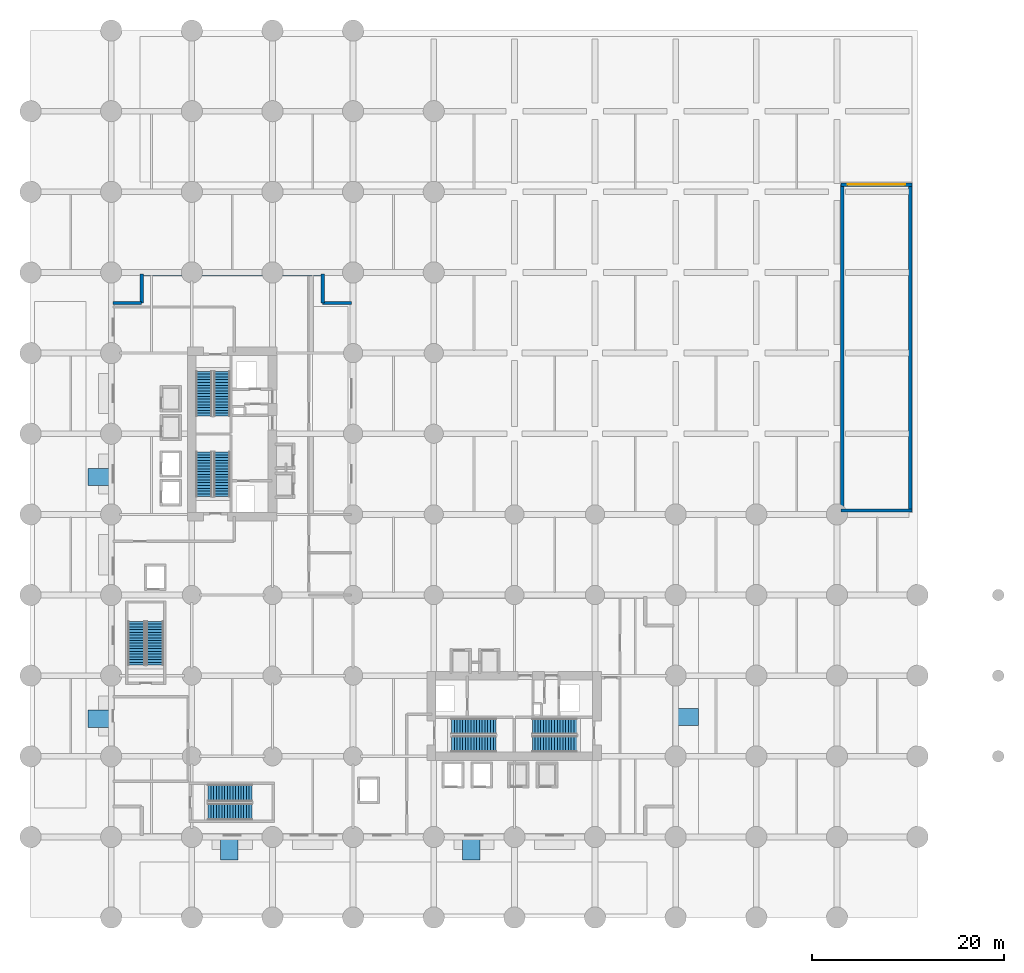
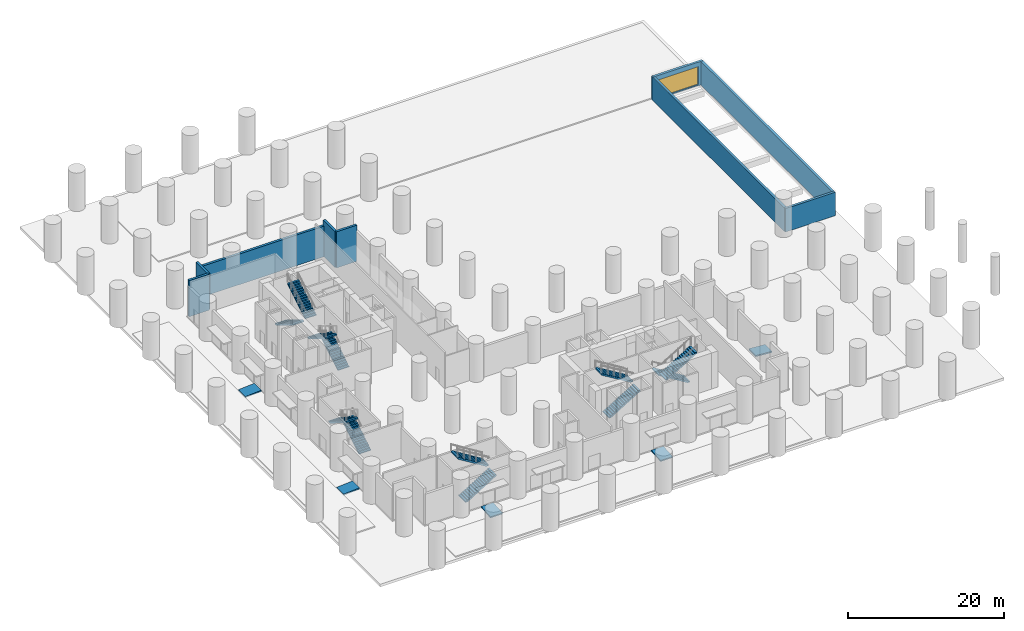
# One storey, part 9 of 13: 12 stair flights, 9 walls, 5 ramp flights, 1 door, 1 opening, 11 elements without a shape of their own.
"""IFC4 building model written with IfcOpenShell, lengths in metres."""

from ifc_helpers import new_model, si_unit, direction, frame, frame_2d, origin, place, context, subcontext, project, spatial, polyline, rectangle, outline, extrude, material, layer, layer_set, type_object, element, fill, aggregate, save


model = new_model("IFC4")

# Units and contexts
model_context = context("Model", 3, precision=1e-05, world=origin(), true_north=direction((0.0, 1.0)))
body_context = subcontext(model_context, "Body", "Model", "MODEL_VIEW")
ifc_project = project(units=[si_unit("LENGTHUNIT", "METRE"), si_unit("AREAUNIT", "SQUARE_METRE"), si_unit("VOLUMEUNIT", "CUBIC_METRE"), si_unit("PLANEANGLEUNIT", "RADIAN"), si_unit("MASSUNIT", "GRAM", prefix="KILO")], contexts=[model_context])

# Site, building, storey
site_placement = place(None, origin())
site = spatial("IfcSite", under=ifc_project, at=site_placement, CompositionType="ELEMENT")
building_placement = place(site_placement, origin())
building = spatial("IfcBuilding", under=site, at=building_placement, Name="Koriwani Terraces Tower", CompositionType="ELEMENT")
storey_placement = place(building_placement, origin())
storey = spatial("IfcBuildingStorey", under=building, at=storey_placement, Name="L00", CompositionType="ELEMENT", Elevation=0.0)

# Walls
ifc_material_1 = material(Name="Concrete C50/60", Category="concrete")
ifc_layer_1 = layer(ifc_material_1, 0.35009765625, Name="Concrete C50/60")
ifc_layer_set_1 = layer_set([ifc_layer_1], Name="Concrete C50/60")
wall_type = type_object("IfcWallType", Name="WALL_EXT_BRUTALIST_350", PredefinedType="STANDARD", material=ifc_layer_set_1)
for number, where, z_axis, x_axis, name in (
    (1, (8.574951171875, 64.02490234375, 0.0), (0.0, 0.0, 1.0), (1.0, 0.0, 0.0), "L00 Fair-Faced Brutalist Exterior Wall (N3)"),
    (2, (11.574951171875, 64.02490234375, 0.0), (0.0, 0.0, 1.0), (0.0, 1.0, 0.0), "L00 Fair-Faced Brutalist Exterior Wall (N4)"),
):
    element("IfcWall", number, at=place(storey_placement, frame(where, z_axis=z_axis, x_axis=x_axis)), inside=storey, type_object=wall_type, Name=name, PredefinedType="STANDARD", context=body_context, shape_type="SweptSolid", body=[
        extrude(rectangle(XDim=3.0, YDim=0.35009765625, at=frame_2d((1.5, 0.0))), origin(), (0.0, 0.0, 1.0), 5.64990234375),
    ])
wall_1_placement = place(storey_placement, frame((11.574951171875, 67.02490234375, 0.0), z_axis=(0.0, 0.0, 1.0), x_axis=(1.0, 0.0, 0.0)))
element("IfcWall", 3, at=wall_1_placement, inside=storey, type_object=wall_type, Name="L00 Fair-Faced Brutalist Exterior Wall (N_TIP)", PredefinedType="STANDARD", context=body_context, shape_type="SweptSolid", body=[
    extrude(rectangle(XDim=18.85009765625, YDim=0.35009765625, at=frame_2d((9.425048828125, 0.0))), origin(), (0.0, 0.0, 1.0), 4.800048828125),
])
for number, where, z_axis, x_axis, name in (
    (4, (30.425048828125, 67.02490234375, 0.0), (0.0, 0.0, 1.0), (0.0, -1.0, 0.0), "L00 Fair-Faced Brutalist Exterior Wall (N6)"),
    (5, (30.425048828125, 64.02490234375, 0.0), (0.0, 0.0, 1.0), (1.0, 0.0, 0.0), "L00 Fair-Faced Brutalist Exterior Wall (N7)"),
):
    element("IfcWall", number, at=place(storey_placement, frame(where, z_axis=z_axis, x_axis=x_axis)), inside=storey, type_object=wall_type, Name=name, PredefinedType="STANDARD", context=body_context, shape_type="SweptSolid", body=[
        extrude(rectangle(XDim=3.0, YDim=0.35009765625, at=frame_2d((1.5, 0.0))), origin(), (0.0, 0.0, 1.0), 5.64990234375),
    ])

# Wall, opening, door
wall_2_placement = place(storey_placement, frame((84.39990234375, 76.35009765625, -0.179931640625), z_axis=(0.0, 0.0, 1.0), x_axis=(1.0, 0.0, 0.0)))
wall_2 = element("IfcWall", 6, at=wall_2_placement, inside=storey, type_object=wall_type, Name="L00 Car Park Vehicle Ramp Portal Head Wall", PredefinedType="STANDARD", context=body_context, shape_type="SweptSolid", body=[
    extrude(rectangle(XDim=7.400146484375, YDim=0.35009765625, at=frame_2d((3.7001953125, 0.0))), origin(), (0.0, 0.0, 1.0), 3.679931640625),
])
opening_placement = place(wall_2_placement, frame((0.699951171875, 0.0, 0.179931640625)))
opening = element("IfcOpeningElement", 7, at=opening_placement, cuts=wall_2, Name="Opening VS-01", PredefinedType="OPENING", context=body_context, shape_type="SweptSolid", body=[
    extrude(rectangle(XDim=6.0, YDim=2.800048828125, at=frame_2d((3.0, 1.39990234375))), frame((0.0, 0.18505859375, 0.0), z_axis=(0.0, -1.0, 0.0), x_axis=(1.0, 0.0, 0.0)), (0.0, 0.0, 1.0), 0.3701171875),
])
ifc_material_2 = material(Name="Steel ASTM A572 Grade 50", Category="steel")
door_type = type_object("IfcDoorType", Name="DOOR_VEHICLE_SHUTTER_6000X2800", OperationType="NOTDEFINED", PredefinedType="GATE", material=ifc_material_2)
door_placement = place(opening_placement, origin())
door = element("IfcDoor", 8, at=door_placement, inside=storey, type_object=door_type, Name="Car Park Vehicle Roller Shutter Gate VS-01", OperationType="ROLLINGUP", OverallHeight=2.800048828125, OverallWidth=6.0, PredefinedType="GATE", context=body_context, shape_type="SweptSolid", body=[
    extrude(rectangle(XDim=6.0, YDim=2.800048828125, at=frame_2d((3.0, 1.39990234375))), frame((0.0, 0.02490234375, 0.0), z_axis=(0.0, -1.0, 0.0), x_axis=(1.0, 0.0, 0.0)), (0.0, 0.0, 1.0), 0.050048828125),
])
fill(opening, door)

# Walls
for number, where, z_axis, x_axis, name in (
    (9, (84.550048828125, 42.39990234375, -0.179931640625), (0.0, 0.0, 1.0), (0.0, 1.0, 0.0), "L00 Car Park Vehicle Ramp Enclosure Wall (W)"),
    (10, (91.64990234375, 42.39990234375, -0.179931640625), (0.0, 0.0, 1.0), (0.0, 1.0, 0.0), "L00 Car Park Vehicle Ramp Enclosure Wall (E)"),
):
    element("IfcWall", number, at=place(storey_placement, frame(where, z_axis=z_axis, x_axis=x_axis)), inside=storey, type_object=wall_type, Name=name, PredefinedType="STANDARD", context=body_context, shape_type="SweptSolid", body=[
        extrude(rectangle(XDim=33.9501953125, YDim=0.35009765625, at=frame_2d((16.97509765625, 0.0))), origin(), (0.0, 0.0, 1.0), 3.679931640625),
    ])
wall_3_placement = place(storey_placement, frame((84.39990234375, 42.39990234375, -0.179931640625), z_axis=(0.0, 0.0, 1.0), x_axis=(1.0, 0.0, 0.0)))
element("IfcWall", 11, at=wall_3_placement, inside=storey, type_object=wall_type, Name="L00 Car Park Vehicle Ramp Enclosure Wall (S)", PredefinedType="STANDARD", context=body_context, shape_type="SweptSolid", body=[
    extrude(rectangle(XDim=7.400146484375, YDim=0.35009765625, at=frame_2d((3.7001953125, 0.0))), origin(), (0.0, 0.0, 1.0), 3.679931640625),
])

# Stair, stair flights
ifc_material_3 = material(Name="Concrete C40/50", Category="concrete")
stair_type_1 = type_object("IfcStairType", Name="STAIR_PODIUM_DOGLEG_1750", PredefinedType="TWO_STRAIGHT_RUN_STAIR", material=ifc_material_3)
stair_1_placement = place(storey_placement, origin())
stair_1 = element("IfcStair", 12, at=stair_1_placement, inside=storey, type_object=stair_type_1, Name="L00 Podium West Exit Stair", PredefinedType="HALF_TURN_STAIR")
stair_flight_type_1 = type_object("IfcStairFlightType", Name="STAIR_FLIGHT_POD_1750", PredefinedType="STRAIGHT", material=ifc_material_3)
stair_flight_1_placement = place(storey_placement, frame((12.97509765625, 26.300048828125, 0.0), z_axis=(0.0, 0.0, 1.0), x_axis=(0.0, 1.0, 0.0)))
stair_flight_1 = element("IfcStairFlight", 13, at=stair_flight_1_placement, type_object=stair_flight_type_1, Name="ST-P1 flight 1", NumberOfRisers=17, NumberOfTreads=16, PredefinedType="STRAIGHT", RiserHeight=0.176470588, TreadLength=0.285, context=body_context, shape_type="SweptSolid", body=[
    extrude(outline(polyline([(0.0, 0.0), (0.0, 0.176513671875), (0.284912109375, 0.176513671875), (0.284912109375, 0.35302734375), (0.570068359375, 0.35302734375), (0.570068359375, 0.529296875), (0.85498046875, 0.529296875), (0.85498046875, 0.705810546875), (1.139892578125, 0.705810546875), (1.139892578125, 0.88232421875), (1.425048828125, 0.88232421875), (1.425048828125, 1.058837890625), (1.7099609375, 1.058837890625), (1.7099609375, 1.2353515625), (1.9951171875, 1.2353515625), (1.9951171875, 1.411865234375), (2.280029296875, 1.411865234375), (2.280029296875, 1.588134765625), (2.56494140625, 1.588134765625), (2.56494140625, 1.7646484375), (2.85009765625, 1.7646484375), (2.85009765625, 1.941162109375), (3.135009765625, 1.941162109375), (3.135009765625, 2.11767578125), (3.419921875, 2.11767578125), (3.419921875, 2.294189453125), (3.705078125, 2.294189453125), (3.705078125, 2.470703125), (3.989990234375, 2.470703125), (3.989990234375, 2.64697265625), (4.27490234375, 2.64697265625), (4.27490234375, 2.823486328125), (4.56005859375, 2.823486328125), (4.56005859375, 3.0), (4.56005859375, 2.58837890625), (0.3798828125, 0.0), (0.0, 0.0)])), frame((0.0, 0.875, 0.0), z_axis=(0.0, -1.0, 0.0), x_axis=(1.0, 0.0, 0.0)), (0.0, 0.0, 1.0), 1.75),
])
stair_flight_2_placement = place(storey_placement, frame((11.02490234375, 30.860107421875, 3.0), z_axis=(0.0, 0.0, 1.0), x_axis=(0.0, -1.0, 0.0)))
stair_flight_2 = element("IfcStairFlight", 14, at=stair_flight_2_placement, type_object=stair_flight_type_1, Name="ST-P1 flight 2", NumberOfRisers=17, NumberOfTreads=16, PredefinedType="STRAIGHT", RiserHeight=0.176470588, TreadLength=0.285, context=body_context, shape_type="SweptSolid", body=[
    extrude(outline(polyline([(0.0, 0.0), (0.0, 0.176513671875), (0.284912109375, 0.176513671875), (0.284912109375, 0.35302734375), (0.570068359375, 0.35302734375), (0.570068359375, 0.529296875), (0.85498046875, 0.529296875), (0.85498046875, 0.705810546875), (1.139892578125, 0.705810546875), (1.139892578125, 0.88232421875), (1.425048828125, 0.88232421875), (1.425048828125, 1.058837890625), (1.7099609375, 1.058837890625), (1.7099609375, 1.2353515625), (1.9951171875, 1.2353515625), (1.9951171875, 1.411865234375), (2.280029296875, 1.411865234375), (2.280029296875, 1.588134765625), (2.56494140625, 1.588134765625), (2.56494140625, 1.7646484375), (2.85009765625, 1.7646484375), (2.85009765625, 1.941162109375), (3.135009765625, 1.941162109375), (3.135009765625, 2.11767578125), (3.419921875, 2.11767578125), (3.419921875, 2.294189453125), (3.705078125, 2.294189453125), (3.705078125, 2.470703125), (3.989990234375, 2.470703125), (3.989990234375, 2.64697265625), (4.27490234375, 2.64697265625), (4.27490234375, 2.823486328125), (4.56005859375, 2.823486328125), (4.56005859375, 3.0), (4.56005859375, 2.58837890625), (0.3798828125, 0.0), (0.0, 0.0)])), frame((0.0, 0.875, 0.0), z_axis=(0.0, -1.0, 0.0), x_axis=(1.0, 0.0, 0.0)), (0.0, 0.0, 1.0), 1.75),
])
aggregate(stair_1, [stair_flight_1, stair_flight_2])

stair_2_placement = place(storey_placement, origin())
stair_2 = element("IfcStair", 15, at=stair_2_placement, inside=storey, type_object=stair_type_1, Name="L00 Podium South Exit Stair", PredefinedType="HALF_TURN_STAIR")
stair_flight_3_placement = place(storey_placement, frame((18.5, 11.02490234375, 0.0), z_axis=(0.0, 0.0, 1.0), x_axis=(1.0, 0.0, 0.0)))
stair_flight_3 = element("IfcStairFlight", 16, at=stair_flight_3_placement, type_object=stair_flight_type_1, Name="ST-P2 flight 1", NumberOfRisers=17, NumberOfTreads=16, PredefinedType="STRAIGHT", RiserHeight=0.176470588, TreadLength=0.285, context=body_context, shape_type="SweptSolid", body=[
    extrude(outline(polyline([(0.0, 0.0), (0.0, 0.176513671875), (0.284912109375, 0.176513671875), (0.284912109375, 0.35302734375), (0.570068359375, 0.35302734375), (0.570068359375, 0.529296875), (0.85498046875, 0.529296875), (0.85498046875, 0.705810546875), (1.139892578125, 0.705810546875), (1.139892578125, 0.88232421875), (1.425048828125, 0.88232421875), (1.425048828125, 1.058837890625), (1.7099609375, 1.058837890625), (1.7099609375, 1.2353515625), (1.9951171875, 1.2353515625), (1.9951171875, 1.411865234375), (2.280029296875, 1.411865234375), (2.280029296875, 1.588134765625), (2.56494140625, 1.588134765625), (2.56494140625, 1.7646484375), (2.85009765625, 1.7646484375), (2.85009765625, 1.941162109375), (3.135009765625, 1.941162109375), (3.135009765625, 2.11767578125), (3.419921875, 2.11767578125), (3.419921875, 2.294189453125), (3.705078125, 2.294189453125), (3.705078125, 2.470703125), (3.989990234375, 2.470703125), (3.989990234375, 2.64697265625), (4.27490234375, 2.64697265625), (4.27490234375, 2.823486328125), (4.56005859375, 2.823486328125), (4.56005859375, 3.0), (4.56005859375, 2.58837890625), (0.3798828125, 0.0), (0.0, 0.0)])), frame((0.0, 0.875, 0.0), z_axis=(0.0, -1.0, 0.0), x_axis=(1.0, 0.0, 0.0)), (0.0, 0.0, 1.0), 1.75),
])
stair_flight_4_placement = place(storey_placement, frame((23.06005859375, 12.97509765625, 3.0), z_axis=(0.0, 0.0, 1.0), x_axis=(-1.0, 0.0, 0.0)))
stair_flight_4 = element("IfcStairFlight", 17, at=stair_flight_4_placement, type_object=stair_flight_type_1, Name="ST-P2 flight 2", NumberOfRisers=17, NumberOfTreads=16, PredefinedType="STRAIGHT", RiserHeight=0.176470588, TreadLength=0.285, context=body_context, shape_type="SweptSolid", body=[
    extrude(outline(polyline([(0.0, 0.0), (0.0, 0.176513671875), (0.284912109375, 0.176513671875), (0.284912109375, 0.35302734375), (0.570068359375, 0.35302734375), (0.570068359375, 0.529296875), (0.85498046875, 0.529296875), (0.85498046875, 0.705810546875), (1.139892578125, 0.705810546875), (1.139892578125, 0.88232421875), (1.425048828125, 0.88232421875), (1.425048828125, 1.058837890625), (1.7099609375, 1.058837890625), (1.7099609375, 1.2353515625), (1.9951171875, 1.2353515625), (1.9951171875, 1.411865234375), (2.280029296875, 1.411865234375), (2.280029296875, 1.588134765625), (2.56494140625, 1.588134765625), (2.56494140625, 1.7646484375), (2.85009765625, 1.7646484375), (2.85009765625, 1.941162109375), (3.135009765625, 1.941162109375), (3.135009765625, 2.11767578125), (3.419921875, 2.11767578125), (3.419921875, 2.294189453125), (3.705078125, 2.294189453125), (3.705078125, 2.470703125), (3.989990234375, 2.470703125), (3.989990234375, 2.64697265625), (4.27490234375, 2.64697265625), (4.27490234375, 2.823486328125), (4.56005859375, 2.823486328125), (4.56005859375, 3.0), (4.56005859375, 2.58837890625), (0.3798828125, 0.0), (0.0, 0.0)])), frame((0.0, 0.875, 0.0), z_axis=(0.0, -1.0, 0.0), x_axis=(1.0, 0.0, 0.0)), (0.0, 0.0, 1.0), 1.75),
])
aggregate(stair_2, [stair_flight_3, stair_flight_4])

stair_type_2 = type_object("IfcStairType", Name="STAIR_CORE_DOGLEG_1650", PredefinedType="TWO_STRAIGHT_RUN_STAIR", material=ifc_material_3)
stair_3_placement = place(storey_placement, origin())
stair_3 = element("IfcStair", 18, at=stair_3_placement, inside=storey, type_object=stair_type_2, Name="L00 West Core Exit Stair 1", PredefinedType="HALF_TURN_STAIR")
stair_flight_type_2 = type_object("IfcStairFlightType", Name="STAIR_FLIGHT_RC_1650", PredefinedType="STRAIGHT", material=ifc_material_3)
stair_flight_5_placement = place(storey_placement, frame((19.925048828125, 43.85009765625, 0.0), z_axis=(0.0, 0.0, 1.0), x_axis=(0.0, 1.0, 0.0)))
stair_flight_5 = element("IfcStairFlight", 19, at=stair_flight_5_placement, type_object=stair_flight_type_2, Name="ST-W1 flight 1", NumberOfRisers=17, NumberOfTreads=16, PredefinedType="STRAIGHT", RiserHeight=0.176470588, TreadLength=0.29, context=body_context, shape_type="SweptSolid", body=[
    extrude(outline(polyline([(0.0, 0.0), (0.0, 0.176513671875), (0.2900390625, 0.176513671875), (0.2900390625, 0.35302734375), (0.580078125, 0.35302734375), (0.580078125, 0.529296875), (0.8701171875, 0.529296875), (0.8701171875, 0.705810546875), (1.159912109375, 0.705810546875), (1.159912109375, 0.88232421875), (1.449951171875, 0.88232421875), (1.449951171875, 1.058837890625), (1.739990234375, 1.058837890625), (1.739990234375, 1.2353515625), (2.030029296875, 1.2353515625), (2.030029296875, 1.411865234375), (2.320068359375, 1.411865234375), (2.320068359375, 1.588134765625), (2.610107421875, 1.588134765625), (2.610107421875, 1.7646484375), (2.89990234375, 1.7646484375), (2.89990234375, 1.941162109375), (3.18994140625, 1.941162109375), (3.18994140625, 2.11767578125), (3.47998046875, 2.11767578125), (3.47998046875, 2.294189453125), (3.77001953125, 2.294189453125), (3.77001953125, 2.470703125), (4.06005859375, 2.470703125), (4.06005859375, 2.64697265625), (4.35009765625, 2.64697265625), (4.35009765625, 2.823486328125), (4.639892578125, 2.823486328125), (4.639892578125, 3.0), (4.639892578125, 2.61279296875), (0.34619140625, 0.0), (0.0, 0.0)])), frame((0.0, 0.824951171875, 0.0), z_axis=(0.0, -1.0, 0.0), x_axis=(1.0, 0.0, 0.0)), (0.0, 0.0, 1.0), 1.64990234375),
])
stair_flight_6_placement = place(storey_placement, frame((18.074951171875, 48.489990234375, 3.0), z_axis=(0.0, 0.0, 1.0), x_axis=(0.0, -1.0, 0.0)))
stair_flight_6 = element("IfcStairFlight", 20, at=stair_flight_6_placement, type_object=stair_flight_type_2, Name="ST-W1 flight 2", NumberOfRisers=17, NumberOfTreads=16, PredefinedType="STRAIGHT", RiserHeight=0.176470588, TreadLength=0.29, context=body_context, shape_type="SweptSolid", body=[
    extrude(outline(polyline([(0.0, 0.0), (0.0, 0.176513671875), (0.2900390625, 0.176513671875), (0.2900390625, 0.35302734375), (0.580078125, 0.35302734375), (0.580078125, 0.529296875), (0.8701171875, 0.529296875), (0.8701171875, 0.705810546875), (1.159912109375, 0.705810546875), (1.159912109375, 0.88232421875), (1.449951171875, 0.88232421875), (1.449951171875, 1.058837890625), (1.739990234375, 1.058837890625), (1.739990234375, 1.2353515625), (2.030029296875, 1.2353515625), (2.030029296875, 1.411865234375), (2.320068359375, 1.411865234375), (2.320068359375, 1.588134765625), (2.610107421875, 1.588134765625), (2.610107421875, 1.7646484375), (2.89990234375, 1.7646484375), (2.89990234375, 1.941162109375), (3.18994140625, 1.941162109375), (3.18994140625, 2.11767578125), (3.47998046875, 2.11767578125), (3.47998046875, 2.294189453125), (3.77001953125, 2.294189453125), (3.77001953125, 2.470703125), (4.06005859375, 2.470703125), (4.06005859375, 2.64697265625), (4.35009765625, 2.64697265625), (4.35009765625, 2.823486328125), (4.639892578125, 2.823486328125), (4.639892578125, 3.0), (4.639892578125, 2.61279296875), (0.34619140625, 0.0), (0.0, 0.0)])), frame((0.0, 0.824951171875, 0.0), z_axis=(0.0, -1.0, 0.0), x_axis=(1.0, 0.0, 0.0)), (0.0, 0.0, 1.0), 1.64990234375),
])
aggregate(stair_3, [stair_flight_5, stair_flight_6])

stair_4_placement = place(storey_placement, origin())
stair_4 = element("IfcStair", 21, at=stair_4_placement, inside=storey, type_object=stair_type_2, Name="L00 West Core Exit Stair 2", PredefinedType="HALF_TURN_STAIR")
stair_flight_7_placement = place(storey_placement, frame((18.074951171875, 56.89990234375, 0.0), z_axis=(0.0, 0.0, 1.0), x_axis=(0.0, -1.0, 0.0)))
stair_flight_7 = element("IfcStairFlight", 22, at=stair_flight_7_placement, type_object=stair_flight_type_2, Name="ST-W2 flight 1", NumberOfRisers=17, NumberOfTreads=16, PredefinedType="STRAIGHT", RiserHeight=0.176470588, TreadLength=0.29, context=body_context, shape_type="SweptSolid", body=[
    extrude(outline(polyline([(0.0, 0.0), (0.0, 0.176513671875), (0.2900390625, 0.176513671875), (0.2900390625, 0.35302734375), (0.580078125, 0.35302734375), (0.580078125, 0.529296875), (0.8701171875, 0.529296875), (0.8701171875, 0.705810546875), (1.159912109375, 0.705810546875), (1.159912109375, 0.88232421875), (1.449951171875, 0.88232421875), (1.449951171875, 1.058837890625), (1.739990234375, 1.058837890625), (1.739990234375, 1.2353515625), (2.030029296875, 1.2353515625), (2.030029296875, 1.411865234375), (2.320068359375, 1.411865234375), (2.320068359375, 1.588134765625), (2.610107421875, 1.588134765625), (2.610107421875, 1.7646484375), (2.89990234375, 1.7646484375), (2.89990234375, 1.941162109375), (3.18994140625, 1.941162109375), (3.18994140625, 2.11767578125), (3.47998046875, 2.11767578125), (3.47998046875, 2.294189453125), (3.77001953125, 2.294189453125), (3.77001953125, 2.470703125), (4.06005859375, 2.470703125), (4.06005859375, 2.64697265625), (4.35009765625, 2.64697265625), (4.35009765625, 2.823486328125), (4.639892578125, 2.823486328125), (4.639892578125, 3.0), (4.639892578125, 2.61279296875), (0.34619140625, 0.0), (0.0, 0.0)])), frame((0.0, 0.824951171875, 0.0), z_axis=(0.0, -1.0, 0.0), x_axis=(1.0, 0.0, 0.0)), (0.0, 0.0, 1.0), 1.64990234375),
])
stair_flight_8_placement = place(storey_placement, frame((19.925048828125, 52.260009765625, 3.0), z_axis=(0.0, 0.0, 1.0), x_axis=(0.0, 1.0, 0.0)))
stair_flight_8 = element("IfcStairFlight", 23, at=stair_flight_8_placement, type_object=stair_flight_type_2, Name="ST-W2 flight 2", NumberOfRisers=17, NumberOfTreads=16, PredefinedType="STRAIGHT", RiserHeight=0.176470588, TreadLength=0.29, context=body_context, shape_type="SweptSolid", body=[
    extrude(outline(polyline([(0.0, 0.0), (0.0, 0.176513671875), (0.2900390625, 0.176513671875), (0.2900390625, 0.35302734375), (0.580078125, 0.35302734375), (0.580078125, 0.529296875), (0.8701171875, 0.529296875), (0.8701171875, 0.705810546875), (1.159912109375, 0.705810546875), (1.159912109375, 0.88232421875), (1.449951171875, 0.88232421875), (1.449951171875, 1.058837890625), (1.739990234375, 1.058837890625), (1.739990234375, 1.2353515625), (2.030029296875, 1.2353515625), (2.030029296875, 1.411865234375), (2.320068359375, 1.411865234375), (2.320068359375, 1.588134765625), (2.610107421875, 1.588134765625), (2.610107421875, 1.7646484375), (2.89990234375, 1.7646484375), (2.89990234375, 1.941162109375), (3.18994140625, 1.941162109375), (3.18994140625, 2.11767578125), (3.47998046875, 2.11767578125), (3.47998046875, 2.294189453125), (3.77001953125, 2.294189453125), (3.77001953125, 2.470703125), (4.06005859375, 2.470703125), (4.06005859375, 2.64697265625), (4.35009765625, 2.64697265625), (4.35009765625, 2.823486328125), (4.639892578125, 2.823486328125), (4.639892578125, 3.0), (4.639892578125, 2.61279296875), (0.34619140625, 0.0), (0.0, 0.0)])), frame((0.0, 0.824951171875, 0.0), z_axis=(0.0, -1.0, 0.0), x_axis=(1.0, 0.0, 0.0)), (0.0, 0.0, 1.0), 1.64990234375),
])
aggregate(stair_4, [stair_flight_7, stair_flight_8])

stair_5_placement = place(storey_placement, origin())
stair_5 = element("IfcStair", 24, at=stair_5_placement, inside=storey, type_object=stair_type_2, Name="L00 East Core Exit Stair 1", PredefinedType="HALF_TURN_STAIR")
stair_flight_9_placement = place(storey_placement, frame((43.85009765625, 18.074951171875, 0.0), z_axis=(0.0, 0.0, 1.0), x_axis=(1.0, 0.0, 0.0)))
stair_flight_9 = element("IfcStairFlight", 25, at=stair_flight_9_placement, type_object=stair_flight_type_2, Name="ST-E1 flight 1", NumberOfRisers=17, NumberOfTreads=16, PredefinedType="STRAIGHT", RiserHeight=0.176470588, TreadLength=0.29, context=body_context, shape_type="SweptSolid", body=[
    extrude(outline(polyline([(0.0, 0.0), (0.0, 0.176513671875), (0.2900390625, 0.176513671875), (0.2900390625, 0.35302734375), (0.580078125, 0.35302734375), (0.580078125, 0.529296875), (0.8701171875, 0.529296875), (0.8701171875, 0.705810546875), (1.159912109375, 0.705810546875), (1.159912109375, 0.88232421875), (1.449951171875, 0.88232421875), (1.449951171875, 1.058837890625), (1.739990234375, 1.058837890625), (1.739990234375, 1.2353515625), (2.030029296875, 1.2353515625), (2.030029296875, 1.411865234375), (2.320068359375, 1.411865234375), (2.320068359375, 1.588134765625), (2.610107421875, 1.588134765625), (2.610107421875, 1.7646484375), (2.89990234375, 1.7646484375), (2.89990234375, 1.941162109375), (3.18994140625, 1.941162109375), (3.18994140625, 2.11767578125), (3.47998046875, 2.11767578125), (3.47998046875, 2.294189453125), (3.77001953125, 2.294189453125), (3.77001953125, 2.470703125), (4.06005859375, 2.470703125), (4.06005859375, 2.64697265625), (4.35009765625, 2.64697265625), (4.35009765625, 2.823486328125), (4.639892578125, 2.823486328125), (4.639892578125, 3.0), (4.639892578125, 2.61279296875), (0.34619140625, 0.0), (0.0, 0.0)])), frame((0.0, 0.824951171875, 0.0), z_axis=(0.0, -1.0, 0.0), x_axis=(1.0, 0.0, 0.0)), (0.0, 0.0, 1.0), 1.64990234375),
])
stair_flight_10_placement = place(storey_placement, frame((48.489990234375, 19.925048828125, 3.0), z_axis=(0.0, 0.0, 1.0), x_axis=(-1.0, 0.0, 0.0)))
stair_flight_10 = element("IfcStairFlight", 26, at=stair_flight_10_placement, type_object=stair_flight_type_2, Name="ST-E1 flight 2", NumberOfRisers=17, NumberOfTreads=16, PredefinedType="STRAIGHT", RiserHeight=0.176470588, TreadLength=0.29, context=body_context, shape_type="SweptSolid", body=[
    extrude(outline(polyline([(0.0, 0.0), (0.0, 0.176513671875), (0.2900390625, 0.176513671875), (0.2900390625, 0.35302734375), (0.580078125, 0.35302734375), (0.580078125, 0.529296875), (0.8701171875, 0.529296875), (0.8701171875, 0.705810546875), (1.159912109375, 0.705810546875), (1.159912109375, 0.88232421875), (1.449951171875, 0.88232421875), (1.449951171875, 1.058837890625), (1.739990234375, 1.058837890625), (1.739990234375, 1.2353515625), (2.030029296875, 1.2353515625), (2.030029296875, 1.411865234375), (2.320068359375, 1.411865234375), (2.320068359375, 1.588134765625), (2.610107421875, 1.588134765625), (2.610107421875, 1.7646484375), (2.89990234375, 1.7646484375), (2.89990234375, 1.941162109375), (3.18994140625, 1.941162109375), (3.18994140625, 2.11767578125), (3.47998046875, 2.11767578125), (3.47998046875, 2.294189453125), (3.77001953125, 2.294189453125), (3.77001953125, 2.470703125), (4.06005859375, 2.470703125), (4.06005859375, 2.64697265625), (4.35009765625, 2.64697265625), (4.35009765625, 2.823486328125), (4.639892578125, 2.823486328125), (4.639892578125, 3.0), (4.639892578125, 2.61279296875), (0.34619140625, 0.0), (0.0, 0.0)])), frame((0.0, 0.824951171875, 0.0), z_axis=(0.0, -1.0, 0.0), x_axis=(1.0, 0.0, 0.0)), (0.0, 0.0, 1.0), 1.64990234375),
])
aggregate(stair_5, [stair_flight_9, stair_flight_10])

stair_6_placement = place(storey_placement, origin())
stair_6 = element("IfcStair", 27, at=stair_6_placement, inside=storey, type_object=stair_type_2, Name="L00 East Core Exit Stair 2", PredefinedType="HALF_TURN_STAIR")
stair_flight_11_placement = place(storey_placement, frame((56.89990234375, 19.925048828125, 0.0), z_axis=(0.0, 0.0, 1.0), x_axis=(-1.0, 0.0, 0.0)))
stair_flight_11 = element("IfcStairFlight", 28, at=stair_flight_11_placement, type_object=stair_flight_type_2, Name="ST-E2 flight 1", NumberOfRisers=17, NumberOfTreads=16, PredefinedType="STRAIGHT", RiserHeight=0.176470588, TreadLength=0.29, context=body_context, shape_type="SweptSolid", body=[
    extrude(outline(polyline([(0.0, 0.0), (0.0, 0.176513671875), (0.2900390625, 0.176513671875), (0.2900390625, 0.35302734375), (0.580078125, 0.35302734375), (0.580078125, 0.529296875), (0.8701171875, 0.529296875), (0.8701171875, 0.705810546875), (1.159912109375, 0.705810546875), (1.159912109375, 0.88232421875), (1.449951171875, 0.88232421875), (1.449951171875, 1.058837890625), (1.739990234375, 1.058837890625), (1.739990234375, 1.2353515625), (2.030029296875, 1.2353515625), (2.030029296875, 1.411865234375), (2.320068359375, 1.411865234375), (2.320068359375, 1.588134765625), (2.610107421875, 1.588134765625), (2.610107421875, 1.7646484375), (2.89990234375, 1.7646484375), (2.89990234375, 1.941162109375), (3.18994140625, 1.941162109375), (3.18994140625, 2.11767578125), (3.47998046875, 2.11767578125), (3.47998046875, 2.294189453125), (3.77001953125, 2.294189453125), (3.77001953125, 2.470703125), (4.06005859375, 2.470703125), (4.06005859375, 2.64697265625), (4.35009765625, 2.64697265625), (4.35009765625, 2.823486328125), (4.639892578125, 2.823486328125), (4.639892578125, 3.0), (4.639892578125, 2.61279296875), (0.34619140625, 0.0), (0.0, 0.0)])), frame((0.0, 0.824951171875, 0.0), z_axis=(0.0, -1.0, 0.0), x_axis=(1.0, 0.0, 0.0)), (0.0, 0.0, 1.0), 1.64990234375),
])
stair_flight_12_placement = place(storey_placement, frame((52.260009765625, 18.074951171875, 3.0), z_axis=(0.0, 0.0, 1.0), x_axis=(1.0, 0.0, 0.0)))
stair_flight_12 = element("IfcStairFlight", 29, at=stair_flight_12_placement, type_object=stair_flight_type_2, Name="ST-E2 flight 2", NumberOfRisers=17, NumberOfTreads=16, PredefinedType="STRAIGHT", RiserHeight=0.176470588, TreadLength=0.29, context=body_context, shape_type="SweptSolid", body=[
    extrude(outline(polyline([(0.0, 0.0), (0.0, 0.176513671875), (0.2900390625, 0.176513671875), (0.2900390625, 0.35302734375), (0.580078125, 0.35302734375), (0.580078125, 0.529296875), (0.8701171875, 0.529296875), (0.8701171875, 0.705810546875), (1.159912109375, 0.705810546875), (1.159912109375, 0.88232421875), (1.449951171875, 0.88232421875), (1.449951171875, 1.058837890625), (1.739990234375, 1.058837890625), (1.739990234375, 1.2353515625), (2.030029296875, 1.2353515625), (2.030029296875, 1.411865234375), (2.320068359375, 1.411865234375), (2.320068359375, 1.588134765625), (2.610107421875, 1.588134765625), (2.610107421875, 1.7646484375), (2.89990234375, 1.7646484375), (2.89990234375, 1.941162109375), (3.18994140625, 1.941162109375), (3.18994140625, 2.11767578125), (3.47998046875, 2.11767578125), (3.47998046875, 2.294189453125), (3.77001953125, 2.294189453125), (3.77001953125, 2.470703125), (4.06005859375, 2.470703125), (4.06005859375, 2.64697265625), (4.35009765625, 2.64697265625), (4.35009765625, 2.823486328125), (4.639892578125, 2.823486328125), (4.639892578125, 3.0), (4.639892578125, 2.61279296875), (0.34619140625, 0.0), (0.0, 0.0)])), frame((0.0, 0.824951171875, 0.0), z_axis=(0.0, -1.0, 0.0), x_axis=(1.0, 0.0, 0.0)), (0.0, 0.0, 1.0), 1.64990234375),
])
aggregate(stair_6, [stair_flight_11, stair_flight_12])

# Ramp, ramp flight
ramp_type = type_object("IfcRampType", Name="PEDESTRIAN_RAMP_1800", PredefinedType="STRAIGHT_RUN_RAMP", material=ifc_material_3)
ramp_1_placement = place(storey_placement, origin())
ramp_1 = element("IfcRamp", 30, at=ramp_1_placement, inside=storey, type_object=ramp_type, Name="Accessible Plaza Pedestrian Ramp PR-01", PredefinedType="STRAIGHT_RUN_RAMP")
ifc_layer_2 = layer(ifc_material_3, 0.199951171875, Name="Concrete C40/50")
ifc_layer_set_2 = layer_set([ifc_layer_2], Name="Concrete C40/50")
ramp_flight_type = type_object("IfcRampFlightType", Name="PEDESTRIAN_RAMP_FLIGHT_1800", PredefinedType="STRAIGHT", material=ifc_layer_set_2)
ramp_flight_1_placement = place(storey_placement, frame((6.0, 19.800048828125, -0.179931640625), z_axis=(-0.074764728906, 0.0, 0.997201201018), x_axis=(0.997201201018, 0.0, 0.074764728906)))
ramp_flight_1 = element("IfcRampFlight", 31, at=ramp_flight_1_placement, type_object=ramp_flight_type, Name="Accessible Pedestrian Ramp Flight PR-01", PredefinedType="STRAIGHT", context=body_context, shape_type="SweptSolid", body=[
    extrude(outline(polyline([(0.0, 0.0), (2.4066380398461975, 0.0), (2.4066380398461975, 1.800048828125), (0.0, 1.800048828125), (0.0, 0.0)])), origin(), (0.0, 0.0, -1.0), 0.199951171875),
])
aggregate(ramp_1, [ramp_flight_1])

ramp_2_placement = place(storey_placement, origin())
ramp_2 = element("IfcRamp", 32, at=ramp_2_placement, inside=storey, type_object=ramp_type, Name="Accessible Plaza Pedestrian Ramp PR-02", PredefinedType="STRAIGHT_RUN_RAMP")
ramp_flight_2_placement = place(storey_placement, frame((6.0, 45.0, -0.179931640625), z_axis=(-0.074764728906, 0.0, 0.997201201018), x_axis=(0.997201201018, 0.0, 0.074764728906)))
ramp_flight_2 = element("IfcRampFlight", 33, at=ramp_flight_2_placement, type_object=ramp_flight_type, Name="Accessible Pedestrian Ramp Flight PR-02", PredefinedType="STRAIGHT", context=body_context, shape_type="SweptSolid", body=[
    extrude(outline(polyline([(0.0, 0.0), (2.4066380398461975, 0.0), (2.4066380398461975, 1.800048828125), (0.0, 1.800048828125), (0.0, 0.0)])), origin(), (0.0, 0.0, -1.0), 0.199951171875),
])
aggregate(ramp_2, [ramp_flight_2])

ramp_3_placement = place(storey_placement, origin())
ramp_3 = element("IfcRamp", 34, at=ramp_3_placement, inside=storey, type_object=ramp_type, Name="Accessible Plaza Pedestrian Ramp PR-03", PredefinedType="STRAIGHT_RUN_RAMP")
ramp_flight_3_placement = place(storey_placement, frame((19.800048828125, 6.0, -0.179931640625), z_axis=(0.0, -0.074764728906, 0.997201201018), x_axis=(1.0, 0.0, 0.0)))
ramp_flight_3 = element("IfcRampFlight", 35, at=ramp_flight_3_placement, type_object=ramp_flight_type, Name="Accessible Pedestrian Ramp Flight PR-03", PredefinedType="STRAIGHT", context=body_context, shape_type="SweptSolid", body=[
    extrude(outline(polyline([(0.0, 0.0), (1.800048828125, 0.0), (1.800048828125, 2.4066380398461975), (0.0, 2.4066380398461975), (0.0, 0.0)])), origin(), (0.0, 0.0, -1.0), 0.199951171875),
])
aggregate(ramp_3, [ramp_flight_3])

ramp_4_placement = place(storey_placement, origin())
ramp_4 = element("IfcRamp", 36, at=ramp_4_placement, inside=storey, type_object=ramp_type, Name="Accessible Plaza Pedestrian Ramp PR-04", PredefinedType="STRAIGHT_RUN_RAMP")
ramp_flight_4_placement = place(storey_placement, frame((45.0, 6.0, -0.179931640625), z_axis=(0.0, -0.074764728906, 0.997201201018), x_axis=(1.0, 0.0, 0.0)))
ramp_flight_4 = element("IfcRampFlight", 37, at=ramp_flight_4_placement, type_object=ramp_flight_type, Name="Accessible Pedestrian Ramp Flight PR-04", PredefinedType="STRAIGHT", context=body_context, shape_type="SweptSolid", body=[
    extrude(outline(polyline([(0.0, 0.0), (1.800048828125, 0.0), (1.800048828125, 2.4066380398461975), (0.0, 2.4066380398461975), (0.0, 0.0)])), origin(), (0.0, 0.0, -1.0), 0.199951171875),
])
aggregate(ramp_4, [ramp_flight_4])

ramp_5_placement = place(storey_placement, origin())
ramp_5 = element("IfcRamp", 38, at=ramp_5_placement, inside=storey, type_object=ramp_type, Name="Accessible Plaza Pedestrian Ramp PR-05", PredefinedType="STRAIGHT_RUN_RAMP")
ramp_flight_5_placement = place(storey_placement, frame((67.199951171875, 20.0, 0.0), z_axis=(0.074757166413, 0.0, 0.997201767984), x_axis=(0.997201767984, 0.0, -0.074757166413)))
ramp_flight_5 = element("IfcRampFlight", 39, at=ramp_flight_5_placement, type_object=ramp_flight_type, Name="Accessible Pedestrian Ramp Flight PR-05", PredefinedType="STRAIGHT", context=body_context, shape_type="SweptSolid", body=[
    extrude(outline(polyline([(0.0, 0.0), (2.406881497239878, 0.0), (2.406881497239878, 1.8000488281249998), (0.0, 1.8000488281249998), (0.0, 0.0)])), origin(), (0.0, 0.0, -1.0), 0.199951171875),
])
aggregate(ramp_5, [ramp_flight_5])

save(model, "model.ifc")
